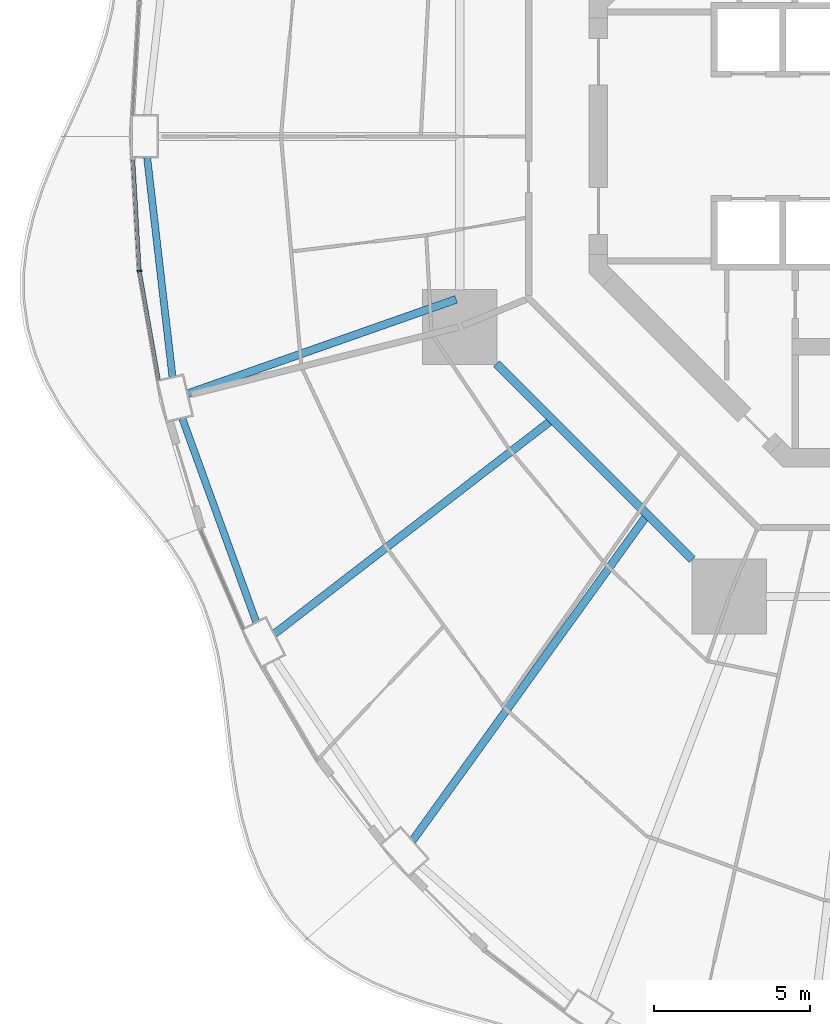
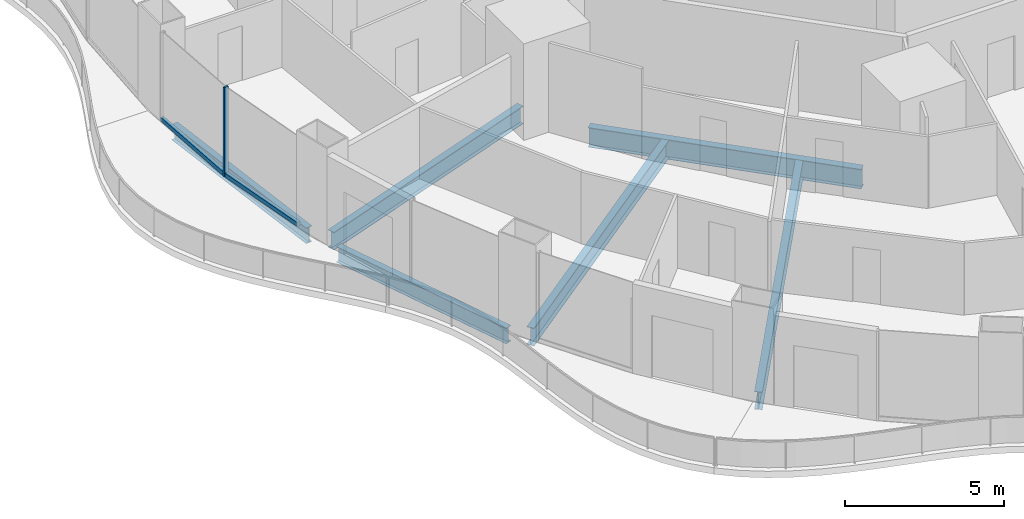
# One storey, part 3 of 22: 6 beams, 3 members, 2 elements without a shape of their own.
"""IFC4 building model written with IfcOpenShell, lengths in metres."""

from ifc_helpers import new_model, si_unit, direction, frame, origin, origin_2d, place, context, subcontext, project, spatial, rectangle, i_section, extrude, material, layer, layer_set, material_profile, profile_set, type_object, element, aggregate, save


model = new_model("IFC4")

# Units and contexts
model_context = context("Model", 3, precision=1e-05, world=origin(), true_north=direction((0.0, 1.0)))
body_context = subcontext(model_context, "Body", "Model", "MODEL_VIEW")
ifc_project = project(units=[si_unit("LENGTHUNIT", "METRE"), si_unit("AREAUNIT", "SQUARE_METRE"), si_unit("VOLUMEUNIT", "CUBIC_METRE"), si_unit("PLANEANGLEUNIT", "RADIAN"), si_unit("MASSUNIT", "GRAM", prefix="KILO")], contexts=[model_context])

# Site, building, storey
site_placement = place(None, origin())
site = spatial("IfcSite", under=ifc_project, at=site_placement, CompositionType="ELEMENT")
building_placement = place(site_placement, origin())
building = spatial("IfcBuilding", under=site, at=building_placement, Name="Nagisa Residences", CompositionType="ELEMENT")
storey_placement = place(building_placement, frame((0.0, 0.0, 49.199951171875)))
storey = spatial("IfcBuildingStorey", under=building, at=storey_placement, Name="L11", CompositionType="ELEMENT", Elevation=49.199951171875)

# Curtain wall, member
ifc_material_1 = material(Name="Concrete-coloured aluminium curtain wall system", Category="concrete")
ifc_layer = layer(ifc_material_1, 0.159912109375)
ifc_layer_set = layer_set([ifc_layer], Name="CW1 CURTAIN WALL")
curtain_wall_type = type_object("IfcCurtainWallType", Name="CW1 CURTAIN WALL", PredefinedType="NOTDEFINED", material=ifc_layer_set)
curtain_wall_1_placement = place(storey_placement, origin())
curtain_wall_1 = element("IfcCurtainWall", 1, at=curtain_wall_1_placement, inside=storey, type_object=curtain_wall_type, Name="cw:CW1:L11:25", PredefinedType="NOTDEFINED")
ifc_material_2 = material(Name="Concrete-coloured aluminium", Category="concrete")
ifc_material_profile_1 = material_profile(ifc_material_2, rectangle(XDim=0.159912109375, YDim=0.06005859375, at=origin_2d()), Name="CW1 MULLION 160x60")
ifc_profile_set_1 = profile_set([ifc_material_profile_1], Name="Concrete-coloured aluminium")
member_type_1 = type_object("IfcMemberType", Name="CW1 MULLION 160x60", PredefinedType="MULLION", material=ifc_profile_set_1)
member_1_placement = place(storey_placement, frame((-25.06787109375, -4.3232421875, 0.0), z_axis=(0.0, 0.0, 1.0), x_axis=(0.985063604377, 0.172190868898, 0.0)))
member_1 = element("IfcMember", 2, at=member_1_placement, type_object=member_type_1, Name="CW1 mullion", PredefinedType="MULLION", context=body_context, shape_type="SweptSolid", body=[
    extrude(rectangle(XDim=0.159912109375, YDim=0.06005859375, at=origin_2d()), origin(), (0.0, 0.0, 1.0), 3.43994140625),
])

curtain_wall_2_placement = place(storey_placement, origin())
curtain_wall_2 = element("IfcCurtainWall", 3, at=curtain_wall_2_placement, inside=storey, type_object=curtain_wall_type, Name="cw:CW1:L11:24", PredefinedType="NOTDEFINED")
ifc_material_3 = material(Name="Concrete-coloured aluminium", Category="concrete")
ifc_material_profile_2 = material_profile(ifc_material_3, rectangle(XDim=0.1201171875, YDim=0.14990234375, at=origin_2d()), Name="CW1 TRANSOM 120x150")
ifc_profile_set_2 = profile_set([ifc_material_profile_2], Name="Concrete-coloured aluminium")
member_type_2 = type_object("IfcMemberType", Name="CW1 TRANSOM 120x150", PredefinedType="USERDEFINED", material=ifc_profile_set_2)
member_2_placement = place(storey_placement, frame((-25.27978515625, -0.6943359375, 0.074951171875), z_axis=(0.057482603412, -0.998346508135, 0.0), x_axis=(0.998346508135, 0.057482603412, 0.0)))
member_2 = element("IfcMember", 4, at=member_2_placement, type_object=member_type_2, Name="CW1 transom", ObjectType="TRANSOM", PredefinedType="USERDEFINED", context=body_context, shape_type="SweptSolid", body=[
    extrude(rectangle(XDim=0.1201171875, YDim=0.14990234375, at=origin_2d()), origin(), (0.0, 0.0, 1.0), 3.6142578125),
])
aggregate(curtain_wall_2, [member_2])

# Member
member_3_placement = place(storey_placement, frame((-25.072998046875, -4.293701171875, 0.074951171875), z_axis=(0.172163041068, -0.985068468326, 0.0), x_axis=(0.985068468326, 0.172163041068, 0.0)))
member_3 = element("IfcMember", 5, at=member_3_placement, type_object=member_type_2, Name="CW1 transom", ObjectType="TRANSOM", PredefinedType="USERDEFINED", context=body_context, shape_type="SweptSolid", body=[
    extrude(rectangle(XDim=0.1201171875, YDim=0.14990234375, at=origin_2d()), origin(), (0.0, 0.0, 1.0), 3.59765625),
])

aggregate(curtain_wall_1, [member_1, member_3])

# Beams
ifc_material_4 = material(Name="Steel ASTM A572 Gr 50", Category="steel")
ifc_material_profile_3 = material_profile(ifc_material_4, i_section(OverallWidth=0.264892578125, OverallDepth=0.7529296875, WebThickness=0.01318359375, FlangeThickness=0.01708984375, at=origin_2d()), Name="W760x147")
ifc_profile_set_3 = profile_set([ifc_material_profile_3], Name="Steel ASTM A572 Gr 50")
beam_type_1 = type_object("IfcBeamType", Name="Inner ring beam W760x147", PredefinedType="BEAM", material=ifc_profile_set_3)
beam_1_placement = place(storey_placement, frame((-13.59619140625, -7.308837890625, -0.636474609375), z_axis=(0.707106781187, -0.707106781187, 0.0), x_axis=(0.707106781187, 0.707106781187, 0.0)))
element("IfcBeam", 6, at=beam_1_placement, inside=storey, type_object=beam_type_1, Name="beam:L11:ib5", PredefinedType="BEAM", context=body_context, shape_type="SweptSolid", body=[
    extrude(i_section(OverallWidth=0.264892578125, OverallDepth=0.7529296875, WebThickness=0.01318359375, FlangeThickness=0.01708984375, at=origin_2d()), origin(), (0.0, 0.0, 1.0), 8.8916015625),
])
ifc_material_5 = material(Name="Steel ASTM A572 Gr 50", Category="steel")
ifc_material_profile_4 = material_profile(ifc_material_5, i_section(OverallWidth=0.22802734375, OverallDepth=0.60302734375, WebThickness=0.010498046875, FlangeThickness=0.014892578125, at=origin_2d()), Name="W610x101")
ifc_profile_set_4 = profile_set([ifc_material_profile_4], Name="Steel ASTM A572 Gr 50")
beam_type_2 = type_object("IfcBeamType", Name="Perimeter ring beam W610x101", PredefinedType="BEAM", material=ifc_profile_set_4)
beam_2_placement = place(storey_placement, frame((-24.821533203125, -0.68017578125, -0.5615234375), z_axis=(0.114707660057, -0.993399291687, 0.0), x_axis=(0.993399291687, 0.114707660057, 0.0)))
element("IfcBeam", 7, at=beam_2_placement, inside=storey, type_object=beam_type_2, Name="beam:L11:pb13", PredefinedType="BEAM", context=body_context, shape_type="SweptSolid", body=[
    extrude(i_section(OverallWidth=0.22802734375, OverallDepth=0.60302734375, WebThickness=0.010498046875, FlangeThickness=0.014892578125, at=origin_2d()), origin(), (0.0, 0.0, 1.0), 7.09814453125),
])
beam_3_placement = place(storey_placement, frame((-23.695068359375, -9.055419921875, -0.5615234375), z_axis=(0.341411143183, -0.939914055279, 0.0), x_axis=(0.939914055279, 0.341411143183, 0.0)))
element("IfcBeam", 8, at=beam_3_placement, inside=storey, type_object=beam_type_2, Name="beam:L11:pb14", PredefinedType="BEAM", context=body_context, shape_type="SweptSolid", body=[
    extrude(i_section(OverallWidth=0.22802734375, OverallDepth=0.60302734375, WebThickness=0.010498046875, FlangeThickness=0.014892578125, at=origin_2d()), origin(), (0.0, 0.0, 1.0), 6.96923828125),
])
ifc_material_6 = material(Name="Steel ASTM A572 Gr 50", Category="steel")
ifc_material_profile_5 = material_profile(ifc_material_6, i_section(OverallWidth=0.25390625, OverallDepth=0.68408203125, WebThickness=0.012451171875, FlangeThickness=0.018798828125, at=origin_2d()), Name="W690x140")
ifc_profile_set_5 = profile_set([ifc_material_profile_5], Name="Steel ASTM A572 Gr 50")
beam_type_3 = type_object("IfcBeamType", Name="Radial beam W690x140", PredefinedType="BEAM", material=ifc_profile_set_5)
beam_4_placement = place(storey_placement, frame((-23.520751953125, -8.26806640625, -0.60205078125), z_axis=(0.943414535235, 0.331615763659, 0.0), x_axis=(-0.331615763659, 0.943414535235, 0.0)))
element("IfcBeam", 9, at=beam_4_placement, inside=storey, type_object=beam_type_3, Name="beam:L11:rb14", PredefinedType="BEAM", context=body_context, shape_type="SweptSolid", body=[
    extrude(i_section(OverallWidth=0.25390625, OverallDepth=0.68408203125, WebThickness=0.012451171875, FlangeThickness=0.018798828125, at=origin_2d()), origin(), (0.0, 0.0, 1.0), 9.142333984375),
])
beam_5_placement = place(storey_placement, frame((-20.73486328125, -15.982666015625, -0.60205078125), z_axis=(0.792016146736, 0.610500141941, 0.0), x_axis=(-0.610500141941, 0.792016146736, 0.0)))
element("IfcBeam", 10, at=beam_5_placement, inside=storey, type_object=beam_type_3, Name="beam:L11:rb15", PredefinedType="BEAM", context=body_context, shape_type="SweptSolid", body=[
    extrude(i_section(OverallWidth=0.25390625, OverallDepth=0.68408203125, WebThickness=0.012451171875, FlangeThickness=0.018798828125, at=origin_2d()), origin(), (0.0, 0.0, 1.0), 11.160888671875),
])
beam_6_placement = place(storey_placement, frame((-16.29443359375, -22.62255859375, -0.60205078125), z_axis=(0.58445507622, 0.811426068031, 0.0), x_axis=(-0.811426068031, 0.58445507622, 0.0)))
element("IfcBeam", 11, at=beam_6_placement, inside=storey, type_object=beam_type_3, Name="beam:L11:rb16", PredefinedType="BEAM", context=body_context, shape_type="SweptSolid", body=[
    extrude(i_section(OverallWidth=0.25390625, OverallDepth=0.68408203125, WebThickness=0.012451171875, FlangeThickness=0.018798828125, at=origin_2d()), origin(), (0.0, 0.0, 1.0), 12.78955078125),
])

save(model, "model.ifc")
